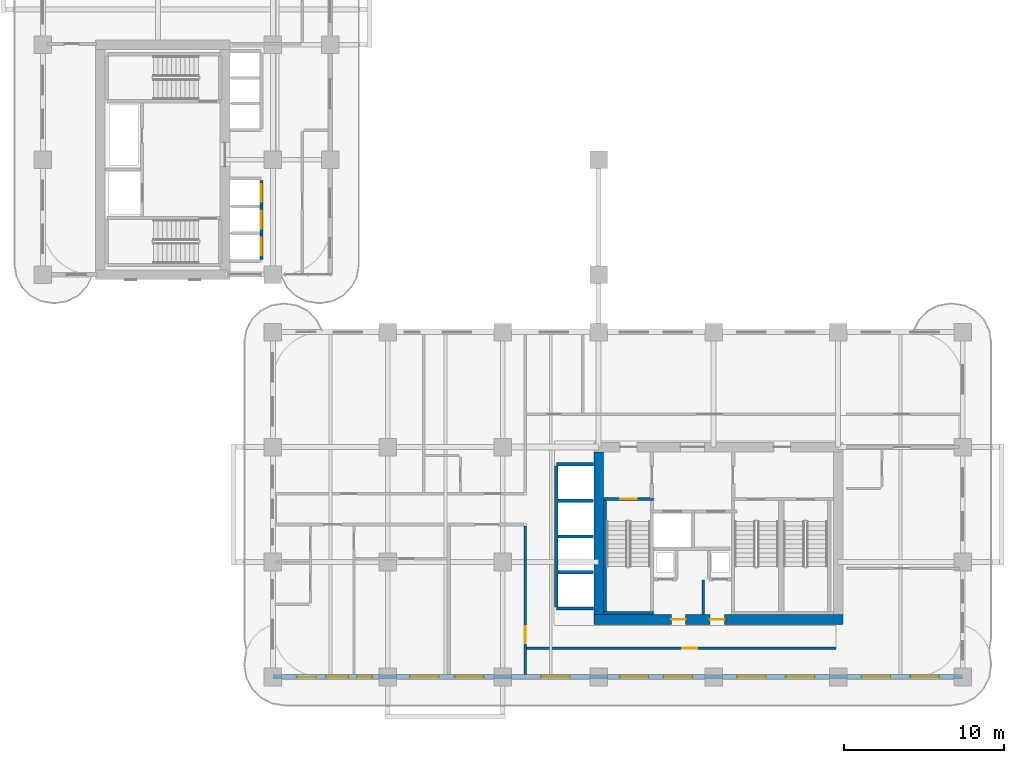
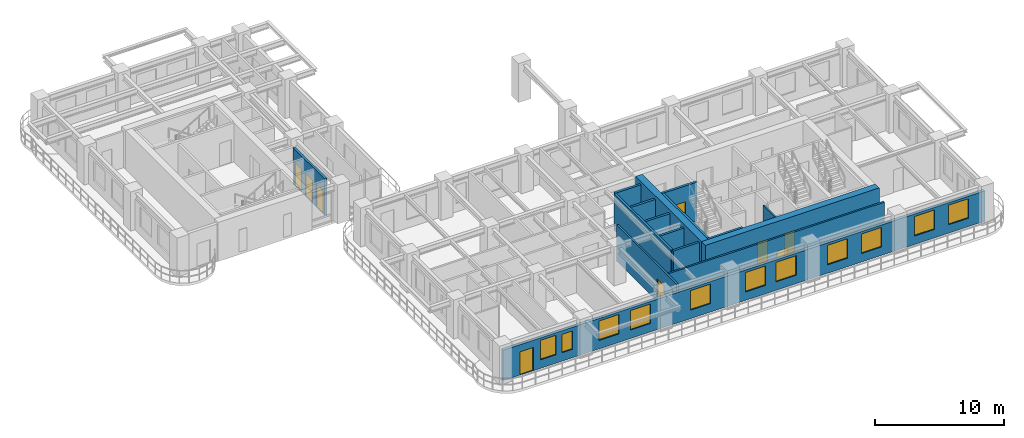
# One storey, part 7 of 18: 16 walls, 11 windows, 9 doors, 20 openings.
"""IFC4 building model written with IfcOpenShell, lengths in metres."""

from ifc_helpers import new_model, si_unit, derived_unit, direction, frame, frame_2d, origin, place, context, subcontext, project, spatial, rectangle, extrude, source, transform, mapped, material, layer, layer_set, type_object, type_shapes, element, fill, save


model = new_model("IFC4")

# Units and contexts
model_context = context("Model", 3, precision=1e-05, world=origin(), true_north=direction((0.0, 1.0)))
body_context = subcontext(model_context, "Body", "Model", "MODEL_VIEW")
ifc_project = project(units=[si_unit("LENGTHUNIT", "METRE"), si_unit("AREAUNIT", "SQUARE_METRE"), si_unit("VOLUMEUNIT", "CUBIC_METRE"), si_unit("PLANEANGLEUNIT", "RADIAN"), si_unit("MASSUNIT", "GRAM", prefix="KILO"), si_unit("THERMODYNAMICTEMPERATUREUNIT", "KELVIN"), si_unit("POWERUNIT", "WATT"), derived_unit("THERMALTRANSMITTANCEUNIT", [(si_unit("POWERUNIT", "WATT"), 1), (si_unit("AREAUNIT", "SQUARE_METRE"), -1), (si_unit("THERMODYNAMICTEMPERATUREUNIT", "KELVIN"), -1)])], contexts=[model_context])

# Site, building, storey
site_placement = place(None, origin())
site = spatial("IfcSite", under=ifc_project, at=site_placement, CompositionType="ELEMENT")
building_placement = place(site_placement, origin())
building = spatial("IfcBuilding", under=site, at=building_placement, Name="Zahravan Archway Hotel and Residences", CompositionType="ELEMENT")
storey_placement = place(building_placement, frame((0.0, 0.0, 58.300048828125)))
storey = spatial("IfcBuildingStorey", under=building, at=storey_placement, Name="L13", CompositionType="ELEMENT", Elevation=58.300048828125)

# Wall, openings, doors
ifc_material_1 = material(Name="Concrete C70/85", Category="concrete")
ifc_layer_1 = layer(ifc_material_1, 0.60009765625, Name="Concrete C70/85", Category="concrete")
ifc_layer_set_1 = layer_set([ifc_layer_1], Name="Concrete C70/85")
wall_type_1 = type_object("IfcWallType", Name="CW-CORE-600", PredefinedType="SHEAR", material=ifc_layer_set_1)
wall_1_placement = place(storey_placement, frame((34.5, 3.60009765625, 0.0), z_axis=(0.0, 0.0, 1.0), x_axis=(1.0, 0.0, 0.0)))
wall_1 = element("IfcWall", 1, at=wall_1_placement, inside=storey, type_object=wall_type_1, Name="L13 Core A Shear S Wall 600 mm", PredefinedType="SHEAR", context=body_context, shape_type="SweptSolid", body=[
    extrude(rectangle(XDim=15.60009765625, YDim=0.60009765625, at=frame_2d((7.800048828125, 0.0))), origin(), (0.0, 0.0, 1.0), 3.699951171875),
])
opening_1_placement = place(wall_1_placement, frame((4.85009765625, 0.0, 0.0)))
opening_1 = element("IfcOpeningElement", 2, at=opening_1_placement, cuts=wall_1, Name="Opening FD-R1", PredefinedType="OPENING", context=body_context, shape_type="SweptSolid", body=[
    extrude(rectangle(XDim=0.89990234375, YDim=2.10009765625, at=frame_2d((0.449951171875, 1.050048828125))), frame((0.0, 0.31005859375, 0.0), z_axis=(0.0, -1.0, 0.0), x_axis=(1.0, 0.0, 0.0)), (0.0, 0.0, 1.0), 0.6201171875),
])
opening_2_placement = place(wall_1_placement, frame((7.27001953125, 0.0, 0.0)))
opening_2 = element("IfcOpeningElement", 3, at=opening_2_placement, cuts=wall_1, Name="Opening FD-R1", PredefinedType="OPENING", context=body_context, shape_type="SweptSolid", body=[
    extrude(rectangle(XDim=0.89990234375, YDim=2.10009765625, at=frame_2d((0.449951171875, 1.050048828125))), frame((0.0, 0.31005859375, 0.0), z_axis=(0.0, -1.0, 0.0), x_axis=(1.0, 0.0, 0.0)), (0.0, 0.0, 1.0), 0.6201171875),
])
ifc_material_2 = material(Name="Fire-Rated Painted Steel", Category="steel")
door_type_1 = type_object("IfcDoorType", Name="FD-RISER-900", OperationType="NOTDEFINED", PredefinedType="DOOR", material=ifc_material_2)
shared_shape_1 = source(origin(), body_context, "Body", "SweptSolid", [
    extrude(rectangle(XDim=0.89990234375, YDim=2.10009765625, at=frame_2d((0.449951171875, 1.050048828125))), frame((0.0, 0.02490234375, 0.0), z_axis=(0.0, -1.0, 0.0), x_axis=(1.0, 0.0, 0.0)), (0.0, 0.0, 1.0), 0.050048828125),
])
type_shapes(door_type_1, [shared_shape_1])
door_1_placement = place(opening_1_placement, origin())
door_1 = element("IfcDoor", 4, at=door_1_placement, inside=storey, type_object=door_type_1, Name="L13 Service Pantry Door", OperationType="SINGLE_SWING_LEFT", OverallHeight=2.10009765625, OverallWidth=0.89990234375, PredefinedType="DOOR", context=body_context, shape_type="MappedRepresentation", body=[
    mapped(shared_shape_1, transform((0.0, 0.0, 0.0), scale=1.0)),
])
fill(opening_1, door_1)
door_2_placement = place(opening_2_placement, origin())
door_2 = element("IfcDoor", 5, at=door_2_placement, inside=storey, type_object=door_type_1, Name="L13 Fibre ELV Riser Door", OperationType="SINGLE_SWING_RIGHT", OverallHeight=2.10009765625, OverallWidth=0.89990234375, PredefinedType="DOOR", context=body_context, shape_type="MappedRepresentation", body=[
    mapped(shared_shape_1, transform((0.0, 0.0, 0.0), scale=1.0)),
])
fill(opening_2, door_2)

# Wall
wall_2_placement = place(storey_placement, frame((34.800048828125, 3.89990234375, 0.0), z_axis=(0.0, 0.0, 1.0), x_axis=(0.0, 1.0, 0.0)))
element("IfcWall", 6, at=wall_2_placement, inside=storey, type_object=wall_type_1, Name="L13 Core A Shear W Wall 600 mm", PredefinedType="SHEAR", context=body_context, shape_type="SweptSolid", body=[
    extrude(rectangle(XDim=10.2001953125, YDim=0.60009765625, at=frame_2d((5.10009765625, 0.0))), origin(), (0.0, 0.0, 1.0), 3.699951171875),
])

# Wall, openings, door, windows
ifc_material_3 = material(Name="Honed Red-Ochre Sandstone & Insulated Block", Category="masonry")
ifc_layer_2 = layer(ifc_material_3, 0.280029296875, Name="Honed Red-Ochre Sandstone & Insulated Block", Category="masonry")
ifc_layer_set_2 = layer_set([ifc_layer_2], Name="Honed Red-Ochre Sandstone & Insulated Block")
wall_type_2 = type_object("IfcWallType", Name="EW-LOG-280", PredefinedType="SOLIDWALL", material=ifc_layer_set_2)
wall_3_placement = place(storey_placement, frame((14.39990234375, 0.0, 0.0), z_axis=(0.0, 0.0, 1.0), x_axis=(1.0, 0.0, 0.0)))
wall_3 = element("IfcWall", 7, at=wall_3_placement, inside=storey, type_object=wall_type_2, Name="L13 Exterior Sandstone Wall WA-S", PredefinedType="SOLIDWALL", context=body_context, shape_type="SweptSolid", body=[
    extrude(rectangle(XDim=43.2001953125, YDim=0.280029296875, at=frame_2d((21.60009765625, 0.0))), origin(), (0.0, 0.0, 1.0), 2.885009765625),
])
opening_3_placement = place(wall_3_placement, frame((1.5, 0.0, 0.0)))
opening_3 = element("IfcOpeningElement", 8, at=opening_3_placement, cuts=wall_3, Name="Opening ED-BL1", PredefinedType="OPENING", context=body_context, shape_type="SweptSolid", body=[
    extrude(rectangle(XDim=1.199951171875, YDim=2.199951171875, at=frame_2d((0.60009765625, 1.10009765625))), frame((0.0, 0.14990234375, 0.0), z_axis=(0.0, -1.0, 0.0), x_axis=(1.0, 0.0, 0.0)), (0.0, 0.0, 1.0), 0.300048828125),
])
opening_4_placement = place(wall_3_placement, frame((3.3359375, 0.0, 0.800048828125)))
opening_4 = element("IfcOpeningElement", 9, at=opening_4_placement, cuts=wall_3, Name="Opening W-03", PredefinedType="OPENING", context=body_context, shape_type="SweptSolid", body=[
    extrude(rectangle(XDim=1.39990234375, YDim=1.85009765625, at=frame_2d((0.699951171875, 0.925048828125))), frame((0.0, 0.14990234375, 0.0), z_axis=(0.0, -1.0, 0.0), x_axis=(1.0, 0.0, 0.0)), (0.0, 0.0, 1.0), 0.300048828125),
])
opening_5_placement = place(wall_3_placement, frame((5.26904296875, 0.0, 0.800048828125)))
opening_5 = element("IfcOpeningElement", 10, at=opening_5_placement, cuts=wall_3, Name="Opening W-04", PredefinedType="OPENING", context=body_context, shape_type="SweptSolid", body=[
    extrude(rectangle(XDim=0.949951171875, YDim=1.75, at=frame_2d((0.47509765625, 0.875))), frame((0.0, 0.14990234375, 0.0), z_axis=(0.0, -1.0, 0.0), x_axis=(1.0, 0.0, 0.0)), (0.0, 0.0, 1.0), 0.300048828125),
])
opening_6_placement = place(wall_3_placement, frame((8.595947265625, 0.0, 0.800048828125)))
opening_6 = element("IfcOpeningElement", 11, at=opening_6_placement, cuts=wall_3, Name="Opening W-02", PredefinedType="OPENING", context=body_context, shape_type="SweptSolid", body=[
    extrude(rectangle(XDim=1.800048828125, YDim=1.85009765625, at=frame_2d((0.89990234375, 0.925048828125))), frame((0.0, 0.14990234375, 0.0), z_axis=(0.0, -1.0, 0.0), x_axis=(1.0, 0.0, 0.0)), (0.0, 0.0, 1.0), 0.300048828125),
])
opening_7_placement = place(wall_3_placement, frame((11.404052734375, 0.0, 0.800048828125)))
opening_7 = element("IfcOpeningElement", 12, at=opening_7_placement, cuts=wall_3, Name="Opening W-02", PredefinedType="OPENING", context=body_context, shape_type="SweptSolid", body=[
    extrude(rectangle(XDim=1.800048828125, YDim=1.85009765625, at=frame_2d((0.89990234375, 0.925048828125))), frame((0.0, 0.14990234375, 0.0), z_axis=(0.0, -1.0, 0.0), x_axis=(1.0, 0.0, 0.0)), (0.0, 0.0, 1.0), 0.300048828125),
])
opening_8_placement = place(wall_3_placement, frame((16.803955078125, 0.0, 0.800048828125)))
opening_8 = element("IfcOpeningElement", 13, at=opening_8_placement, cuts=wall_3, Name="Opening W-02", PredefinedType="OPENING", context=body_context, shape_type="SweptSolid", body=[
    extrude(rectangle(XDim=1.800048828125, YDim=1.85009765625, at=frame_2d((0.89990234375, 0.925048828125))), frame((0.0, 0.14990234375, 0.0), z_axis=(0.0, -1.0, 0.0), x_axis=(1.0, 0.0, 0.0)), (0.0, 0.0, 1.0), 0.300048828125),
])
opening_9_placement = place(wall_3_placement, frame((21.72509765625, 0.0, 0.800048828125)))
opening_9 = element("IfcOpeningElement", 14, at=opening_9_placement, cuts=wall_3, Name="Opening W-02", PredefinedType="OPENING", context=body_context, shape_type="SweptSolid", body=[
    extrude(rectangle(XDim=1.800048828125, YDim=1.85009765625, at=frame_2d((0.89990234375, 0.925048828125))), frame((0.0, 0.14990234375, 0.0), z_axis=(0.0, -1.0, 0.0), x_axis=(1.0, 0.0, 0.0)), (0.0, 0.0, 1.0), 0.300048828125),
])
opening_10_placement = place(wall_3_placement, frame((24.47509765625, 0.0, 0.800048828125)))
opening_10 = element("IfcOpeningElement", 15, at=opening_10_placement, cuts=wall_3, Name="Opening W-02", PredefinedType="OPENING", context=body_context, shape_type="SweptSolid", body=[
    extrude(rectangle(XDim=1.800048828125, YDim=1.85009765625, at=frame_2d((0.89990234375, 0.925048828125))), frame((0.0, 0.14990234375, 0.0), z_axis=(0.0, -1.0, 0.0), x_axis=(1.0, 0.0, 0.0)), (0.0, 0.0, 1.0), 0.300048828125),
])
opening_11_placement = place(wall_3_placement, frame((29.074951171875, 0.0, 0.800048828125)))
opening_11 = element("IfcOpeningElement", 16, at=opening_11_placement, cuts=wall_3, Name="Opening W-02", PredefinedType="OPENING", context=body_context, shape_type="SweptSolid", body=[
    extrude(rectangle(XDim=1.800048828125, YDim=1.85009765625, at=frame_2d((0.89990234375, 0.925048828125))), frame((0.0, 0.14990234375, 0.0), z_axis=(0.0, -1.0, 0.0), x_axis=(1.0, 0.0, 0.0)), (0.0, 0.0, 1.0), 0.300048828125),
])
opening_12_placement = place(wall_3_placement, frame((32.125, 0.0, 0.800048828125)))
opening_12 = element("IfcOpeningElement", 17, at=opening_12_placement, cuts=wall_3, Name="Opening W-02", PredefinedType="OPENING", context=body_context, shape_type="SweptSolid", body=[
    extrude(rectangle(XDim=1.800048828125, YDim=1.85009765625, at=frame_2d((0.89990234375, 0.925048828125))), frame((0.0, 0.14990234375, 0.0), z_axis=(0.0, -1.0, 0.0), x_axis=(1.0, 0.0, 0.0)), (0.0, 0.0, 1.0), 0.300048828125),
])
opening_13_placement = place(wall_3_placement, frame((36.875, 0.0, 0.800048828125)))
opening_13 = element("IfcOpeningElement", 18, at=opening_13_placement, cuts=wall_3, Name="Opening W-02", PredefinedType="OPENING", context=body_context, shape_type="SweptSolid", body=[
    extrude(rectangle(XDim=1.800048828125, YDim=1.85009765625, at=frame_2d((0.89990234375, 0.925048828125))), frame((0.0, 0.14990234375, 0.0), z_axis=(0.0, -1.0, 0.0), x_axis=(1.0, 0.0, 0.0)), (0.0, 0.0, 1.0), 0.300048828125),
])
opening_14_placement = place(wall_3_placement, frame((39.925048828125, 0.0, 0.800048828125)))
opening_14 = element("IfcOpeningElement", 19, at=opening_14_placement, cuts=wall_3, Name="Opening W-02", PredefinedType="OPENING", context=body_context, shape_type="SweptSolid", body=[
    extrude(rectangle(XDim=1.800048828125, YDim=1.85009765625, at=frame_2d((0.89990234375, 0.925048828125))), frame((0.0, 0.14990234375, 0.0), z_axis=(0.0, -1.0, 0.0), x_axis=(1.0, 0.0, 0.0)), (0.0, 0.0, 1.0), 0.300048828125),
])
ifc_material_4 = material(Name="Bronze-Anodized Glazed Aluminium", Category="aluminium")
door_type_2 = type_object("IfcDoorType", Name="ED-BALC-1200", OperationType="SLIDING_TO_LEFT", PredefinedType="DOOR", material=ifc_material_4)
shared_shape_2 = source(origin(), body_context, "Body", "SweptSolid", [
    extrude(rectangle(XDim=1.199951171875, YDim=2.199951171875, at=frame_2d((0.60009765625, 1.10009765625))), frame((0.0, 0.02490234375, 0.0), z_axis=(0.0, -1.0, 0.0), x_axis=(1.0, 0.0, 0.0)), (0.0, 0.0, 1.0), 0.050048828125),
])
type_shapes(door_type_2, [shared_shape_2])
door_3_placement = place(opening_3_placement, origin())
door_3 = element("IfcDoor", 20, at=door_3_placement, inside=storey, type_object=door_type_2, Name="L13 Outdoor Access Sliding Door (SLB-BAL-L13-SA)", OperationType="SLIDING_TO_LEFT", OverallHeight=2.199951171875, OverallWidth=1.199951171875, PredefinedType="DOOR", context=body_context, shape_type="MappedRepresentation", body=[
    mapped(shared_shape_2, transform((0.0, 0.0, 0.0), scale=1.0)),
])
fill(opening_3, door_3)
ifc_material_5 = material(Name="Bronze-Anodized Thermal-Break Aluminium & Low-E Glass", Category="aluminium")
window_type_1 = type_object("IfcWindowType", Name="WIN-TWR-1400", PartitioningType="SINGLE_PANEL", PredefinedType="WINDOW", material=ifc_material_5)
shared_shape_3 = source(origin(), body_context, "Body", "SweptSolid", [
    extrude(rectangle(XDim=1.39990234375, YDim=1.85009765625, at=frame_2d((0.699951171875, 0.925048828125))), frame((0.0, 0.030029296875, 0.0), z_axis=(0.0, -1.0, 0.0), x_axis=(1.0, 0.0, 0.0)), (0.0, 0.0, 1.0), 0.06005859375),
])
type_shapes(window_type_1, [shared_shape_3])
window_1_placement = place(opening_4_placement, origin())
window_1 = element("IfcWindow", 21, at=window_1_placement, inside=storey, type_object=window_type_1, Name="L13 Loggia Window 01", OverallHeight=1.85009765625, OverallWidth=1.39990234375, PartitioningType="SINGLE_PANEL", PredefinedType="WINDOW", context=body_context, shape_type="MappedRepresentation", body=[
    mapped(shared_shape_3, transform((0.0, 0.0, 0.0), scale=1.0)),
])
fill(opening_4, window_1)
window_type_2 = type_object("IfcWindowType", Name="WIN-NAR-950", PartitioningType="SINGLE_PANEL", PredefinedType="WINDOW", material=ifc_material_5)
shared_shape_4 = source(origin(), body_context, "Body", "SweptSolid", [
    extrude(rectangle(XDim=0.949951171875, YDim=1.75, at=frame_2d((0.47509765625, 0.875))), frame((0.0, 0.030029296875, 0.0), z_axis=(0.0, -1.0, 0.0), x_axis=(1.0, 0.0, 0.0)), (0.0, 0.0, 1.0), 0.06005859375),
])
type_shapes(window_type_2, [shared_shape_4])
window_2_placement = place(opening_5_placement, origin())
window_2 = element("IfcWindow", 22, at=window_2_placement, inside=storey, type_object=window_type_2, Name="L13 Loggia Window 02", OverallHeight=1.75, OverallWidth=0.949951171875, PartitioningType="SINGLE_PANEL", PredefinedType="WINDOW", context=body_context, shape_type="MappedRepresentation", body=[
    mapped(shared_shape_4, transform((0.0, 0.0, 0.0), scale=1.0)),
])
fill(opening_5, window_2)
window_type_3 = type_object("IfcWindowType", Name="WIN-TWR-1800", PartitioningType="DOUBLE_PANEL_VERTICAL", PredefinedType="WINDOW", material=ifc_material_5)
shared_shape_5 = source(origin(), body_context, "Body", "SweptSolid", [
    extrude(rectangle(XDim=1.800048828125, YDim=1.85009765625, at=frame_2d((0.89990234375, 0.925048828125))), frame((0.0, 0.030029296875, 0.0), z_axis=(0.0, -1.0, 0.0), x_axis=(1.0, 0.0, 0.0)), (0.0, 0.0, 1.0), 0.06005859375),
])
type_shapes(window_type_3, [shared_shape_5])
window_3_placement = place(opening_6_placement, origin())
window_3 = element("IfcWindow", 23, at=window_3_placement, inside=storey, type_object=window_type_3, Name="L13 Loggia Window 03", OverallHeight=1.85009765625, OverallWidth=1.800048828125, PartitioningType="DOUBLE_PANEL_VERTICAL", PredefinedType="WINDOW", context=body_context, shape_type="MappedRepresentation", body=[
    mapped(shared_shape_5, transform((0.0, 0.0, 0.0), scale=1.0)),
])
fill(opening_6, window_3)
window_4_placement = place(opening_7_placement, origin())
window_4 = element("IfcWindow", 24, at=window_4_placement, inside=storey, type_object=window_type_3, Name="L13 Loggia Window 04", OverallHeight=1.85009765625, OverallWidth=1.800048828125, PartitioningType="DOUBLE_PANEL_VERTICAL", PredefinedType="WINDOW", context=body_context, shape_type="MappedRepresentation", body=[
    mapped(shared_shape_5, transform((0.0, 0.0, 0.0), scale=1.0)),
])
fill(opening_7, window_4)
window_5_placement = place(opening_8_placement, origin())
window_5 = element("IfcWindow", 25, at=window_5_placement, inside=storey, type_object=window_type_3, Name="L13 Loggia Window 05", OverallHeight=1.85009765625, OverallWidth=1.800048828125, PartitioningType="DOUBLE_PANEL_VERTICAL", PredefinedType="WINDOW", context=body_context, shape_type="MappedRepresentation", body=[
    mapped(shared_shape_5, transform((0.0, 0.0, 0.0), scale=1.0)),
])
fill(opening_8, window_5)
window_6_placement = place(opening_9_placement, origin())
window_6 = element("IfcWindow", 26, at=window_6_placement, inside=storey, type_object=window_type_3, Name="L13 Loggia Window 06", OverallHeight=1.85009765625, OverallWidth=1.800048828125, PartitioningType="DOUBLE_PANEL_VERTICAL", PredefinedType="WINDOW", context=body_context, shape_type="MappedRepresentation", body=[
    mapped(shared_shape_5, transform((0.0, 0.0, 0.0), scale=1.0)),
])
fill(opening_9, window_6)
window_7_placement = place(opening_10_placement, origin())
window_7 = element("IfcWindow", 27, at=window_7_placement, inside=storey, type_object=window_type_3, Name="L13 Loggia Window 07", OverallHeight=1.85009765625, OverallWidth=1.800048828125, PartitioningType="DOUBLE_PANEL_VERTICAL", PredefinedType="WINDOW", context=body_context, shape_type="MappedRepresentation", body=[
    mapped(shared_shape_5, transform((0.0, 0.0, 0.0), scale=1.0)),
])
fill(opening_10, window_7)
window_8_placement = place(opening_11_placement, origin())
window_8 = element("IfcWindow", 28, at=window_8_placement, inside=storey, type_object=window_type_3, Name="L13 Loggia Window 08", OverallHeight=1.85009765625, OverallWidth=1.800048828125, PartitioningType="DOUBLE_PANEL_VERTICAL", PredefinedType="WINDOW", context=body_context, shape_type="MappedRepresentation", body=[
    mapped(shared_shape_5, transform((0.0, 0.0, 0.0), scale=1.0)),
])
fill(opening_11, window_8)
window_9_placement = place(opening_12_placement, origin())
window_9 = element("IfcWindow", 29, at=window_9_placement, inside=storey, type_object=window_type_3, Name="L13 Loggia Window 09", OverallHeight=1.85009765625, OverallWidth=1.800048828125, PartitioningType="DOUBLE_PANEL_VERTICAL", PredefinedType="WINDOW", context=body_context, shape_type="MappedRepresentation", body=[
    mapped(shared_shape_5, transform((0.0, 0.0, 0.0), scale=1.0)),
])
fill(opening_12, window_9)
window_10_placement = place(opening_13_placement, origin())
window_10 = element("IfcWindow", 30, at=window_10_placement, inside=storey, type_object=window_type_3, Name="L13 Loggia Window 10", OverallHeight=1.85009765625, OverallWidth=1.800048828125, PartitioningType="DOUBLE_PANEL_VERTICAL", PredefinedType="WINDOW", context=body_context, shape_type="MappedRepresentation", body=[
    mapped(shared_shape_5, transform((0.0, 0.0, 0.0), scale=1.0)),
])
fill(opening_13, window_10)
window_11_placement = place(opening_14_placement, origin())
window_11 = element("IfcWindow", 31, at=window_11_placement, inside=storey, type_object=window_type_3, Name="L13 Loggia Window 11", OverallHeight=1.85009765625, OverallWidth=1.800048828125, PartitioningType="DOUBLE_PANEL_VERTICAL", PredefinedType="WINDOW", context=body_context, shape_type="MappedRepresentation", body=[
    mapped(shared_shape_5, transform((0.0, 0.0, 0.0), scale=1.0)),
])
fill(opening_14, window_11)

# Wall, opening, door
ifc_material_6 = material(Name="Fire-Rated Gypsum & Concrete Block", Category="concrete")
ifc_layer_3 = layer(ifc_material_6, 0.159912109375, Name="Fire-Rated Gypsum & Concrete Block", Category="concrete")
ifc_layer_set_3 = layer_set([ifc_layer_3], Name="Fire-Rated Gypsum & Concrete Block")
wall_type_3 = type_object("IfcWallType", Name="PW-CORR-160", PredefinedType="PARTITIONING", material=ifc_layer_set_3)
wall_4_placement = place(storey_placement, frame((30.199951171875, 0.14794921875, 0.0), z_axis=(0.0, 0.0, 1.0), x_axis=(0.0, 1.0, 0.0)))
wall_4 = element("IfcWall", 32, at=wall_4_placement, inside=storey, type_object=wall_type_3, Name="L13 Partition WA-SRW", PredefinedType="PARTITIONING", context=body_context, shape_type="SweptSolid", body=[
    extrude(rectangle(XDim=9.31201171875, YDim=0.159912109375, at=frame_2d((4.656005859375, 0.0))), origin(), (0.0, 0.0, 1.0), 3.449951171875),
])
opening_15_placement = place(wall_4_placement, frame((1.97705078125, 0.0, 0.0)))
opening_15 = element("IfcOpeningElement", 33, at=opening_15_placement, cuts=wall_4, Name="Opening FD-L2", PredefinedType="OPENING", context=body_context, shape_type="SweptSolid", body=[
    extrude(rectangle(XDim=1.050048828125, YDim=2.14990234375, at=frame_2d((0.52490234375, 1.074951171875))), frame((0.0, 0.08984375, 0.0), z_axis=(0.0, -1.0, 0.0), x_axis=(1.0, 0.0, 0.0)), (0.0, 0.0, 1.0), 0.179931640625),
])
door_type_3 = type_object("IfcDoorType", Name="FD-LOBBY-1100", OperationType="NOTDEFINED", PredefinedType="DOOR", material=ifc_material_2)
shared_shape_6 = source(origin(), body_context, "Body", "SweptSolid", [
    extrude(rectangle(XDim=1.050048828125, YDim=2.14990234375, at=frame_2d((0.52490234375, 1.074951171875))), frame((0.0, 0.02490234375, 0.0), z_axis=(0.0, -1.0, 0.0), x_axis=(1.0, 0.0, 0.0)), (0.0, 0.0, 1.0), 0.050048828125),
])
type_shapes(door_type_3, [shared_shape_6])
door_4_placement = place(opening_15_placement, origin())
door_4 = element("IfcDoor", 34, at=door_4_placement, inside=storey, type_object=door_type_3, Name="L13 South Riser Corridor Door", OperationType="SINGLE_SWING_RIGHT", OverallHeight=2.14990234375, OverallWidth=1.050048828125, PredefinedType="DOOR", context=body_context, shape_type="MappedRepresentation", body=[
    mapped(shared_shape_6, transform((0.0, 0.0, 0.0), scale=1.0)),
])
fill(opening_15, door_4)

wall_5_placement = place(storey_placement, frame((30.2900390625, 1.800048828125, 0.0), z_axis=(0.0, 0.0, 1.0), x_axis=(1.0, 0.0, 0.0)))
wall_5 = element("IfcWall", 35, at=wall_5_placement, inside=storey, type_object=wall_type_3, Name="L13 Partition WA-SRS", PredefinedType="PARTITIONING", context=body_context, shape_type="SweptSolid", body=[
    extrude(rectangle(XDim=19.369873046875, YDim=0.159912109375, at=frame_2d((9.68505859375, 0.0))), origin(), (0.0, 0.0, 1.0), 3.449951171875),
])
opening_16_placement = place(wall_5_placement, frame((9.735107421875, 0.0, 0.0)))
opening_16 = element("IfcOpeningElement", 36, at=opening_16_placement, cuts=wall_5, Name="Opening D-I1", PredefinedType="OPENING", context=body_context, shape_type="SweptSolid", body=[
    extrude(rectangle(XDim=0.949951171875, YDim=2.14990234375, at=frame_2d((0.47509765625, 1.074951171875))), frame((0.0, 0.08984375, 0.0), z_axis=(0.0, -1.0, 0.0), x_axis=(1.0, 0.0, 0.0)), (0.0, 0.0, 1.0), 0.179931640625),
])
ifc_material_7 = material(Name="Hardwood Veneer Timber", Category="wood")
door_type_4 = type_object("IfcDoorType", Name="ID-INT-950", OperationType="NOTDEFINED", PredefinedType="DOOR", material=ifc_material_7)
shared_shape_7 = source(origin(), body_context, "Body", "SweptSolid", [
    extrude(rectangle(XDim=0.949951171875, YDim=2.14990234375, at=frame_2d((0.47509765625, 1.074951171875))), frame((0.0, 0.02490234375, 0.0), z_axis=(0.0, -1.0, 0.0), x_axis=(1.0, 0.0, 0.0)), (0.0, 0.0, 1.0), 0.050048828125),
])
type_shapes(door_type_4, [shared_shape_7])
door_5_placement = place(opening_16_placement, origin())
door_5 = element("IfcDoor", 37, at=door_5_placement, inside=storey, type_object=door_type_4, Name="L13 South Viewing Lounge Door", OperationType="SINGLE_SWING_LEFT", OverallHeight=2.14990234375, OverallWidth=0.949951171875, PredefinedType="DOOR", context=body_context, shape_type="MappedRepresentation", body=[
    mapped(shared_shape_7, transform((0.0, 0.0, 0.0), scale=1.0)),
])
fill(opening_16, door_5)

# Walls
ifc_layer_4 = layer(ifc_material_6, 0.199951171875, Name="Fire-Rated Gypsum & Concrete Block", Category="concrete")
ifc_layer_set_4 = layer_set([ifc_layer_4], Name="Fire-Rated Gypsum & Concrete Block")
wall_type_4 = type_object("IfcWallType", Name="PW-SHAFT-200", PredefinedType="PARTITIONING", material=ifc_layer_set_4)
for number, where, z_axis, x_axis, name in (
    (38, (32.159912109375, 4.280029296875, 0.0), (0.0, 0.0, 1.0), (1.0, 0.0, 0.0), "L13 Partition B3-S"),
    (39, (32.159912109375, 13.320068359375, 0.0), (0.0, 0.0, 1.0), (1.0, 0.0, 0.0), "L13 Partition B3-N"),
):
    element("IfcWall", number, at=place(storey_placement, frame(where, z_axis=z_axis, x_axis=x_axis)), inside=storey, type_object=wall_type_4, Name=name, PredefinedType="PARTITIONING", context=body_context, shape_type="SweptSolid", body=[
        extrude(rectangle(XDim=2.31005859375, YDim=0.199951171875, at=frame_2d((1.155029296875, 0.0))), origin(), (0.0, 0.0, 1.0), 3.449951171875),
    ])
wall_6_placement = place(storey_placement, frame((32.14990234375, 4.389892578125, 0.0), z_axis=(0.0, 0.0, 1.0), x_axis=(0.0, 1.0, 0.0)))
element("IfcWall", 40, at=wall_6_placement, inside=storey, type_object=wall_type_4, Name="L13 Partition B3-W", PredefinedType="PARTITIONING", context=body_context, shape_type="SweptSolid", body=[
    extrude(rectangle(XDim=8.820068359375, YDim=0.199951171875, at=frame_2d((4.41015625, 0.0))), origin(), (0.0, 0.0, 1.0), 3.449951171875),
])
for number, where, z_axis, x_axis, name in (
    (41, (32.260009765625, 6.56005859375, 0.0), (0.0, 0.0, 1.0), (1.0, 0.0, 0.0), "L13 Partition B3-D"),
    (42, (32.260009765625, 8.800048828125, 0.0), (0.0, 0.0, 1.0), (1.0, 0.0, 0.0), "L13 Partition B3-D"),
    (43, (32.260009765625, 11.0400390625, 0.0), (0.0, 0.0, 1.0), (1.0, 0.0, 0.0), "L13 Partition B3-D"),
):
    element("IfcWall", number, at=place(storey_placement, frame(where, z_axis=z_axis, x_axis=x_axis)), inside=storey, type_object=wall_type_4, Name=name, PredefinedType="PARTITIONING", context=body_context, shape_type="SweptSolid", body=[
        extrude(rectangle(XDim=2.179931640625, YDim=0.199951171875, at=frame_2d((1.08984375, 0.0))), origin(), (0.0, 0.0, 1.0), 3.449951171875),
    ])

# Wall, openings, doors
wall_7_placement = place(storey_placement, frame((13.679931640625, 26.159912109375, 0.0), z_axis=(0.0, 0.0, 1.0), x_axis=(0.0, 1.0, 0.0)))
wall_7 = element("IfcWall", 44, at=wall_7_placement, inside=storey, type_object=wall_type_4, Name="L13 Partition B1-E", PredefinedType="PARTITIONING", context=body_context, shape_type="SweptSolid", body=[
    extrude(rectangle(XDim=4.940185546875, YDim=0.199951171875, at=frame_2d((2.47021484375, 0.0))), origin(), (0.0, 0.0, 1.0), 3.449951171875),
])
opening_17_placement = place(wall_7_placement, frame((0.239990234375, 0.0, 0.0)))
opening_17 = element("IfcOpeningElement", 45, at=opening_17_placement, cuts=wall_7, Name="Opening LD", PredefinedType="OPENING", context=body_context, shape_type="SweptSolid", body=[
    extrude(rectangle(XDim=1.10009765625, YDim=2.199951171875, at=frame_2d((0.550048828125, 1.10009765625))), frame((0.0, 0.10986328125, 0.0), z_axis=(0.0, -1.0, 0.0), x_axis=(1.0, 0.0, 0.0)), (0.0, 0.0, 1.0), 0.219970703125),
])
opening_18_placement = place(wall_7_placement, frame((1.919921875, 0.0, 0.0)))
opening_18 = element("IfcOpeningElement", 46, at=opening_18_placement, cuts=wall_7, Name="Opening LD", PredefinedType="OPENING", context=body_context, shape_type="SweptSolid", body=[
    extrude(rectangle(XDim=1.10009765625, YDim=2.199951171875, at=frame_2d((0.550048828125, 1.10009765625))), frame((0.0, 0.10986328125, 0.0), z_axis=(0.0, -1.0, 0.0), x_axis=(1.0, 0.0, 0.0)), (0.0, 0.0, 1.0), 0.219970703125),
])
opening_19_placement = place(wall_7_placement, frame((3.60009765625, 0.0, 0.0)))
opening_19 = element("IfcOpeningElement", 47, at=opening_19_placement, cuts=wall_7, Name="Opening LD", PredefinedType="OPENING", context=body_context, shape_type="SweptSolid", body=[
    extrude(rectangle(XDim=1.10009765625, YDim=2.199951171875, at=frame_2d((0.550048828125, 1.10009765625))), frame((0.0, 0.10986328125, 0.0), z_axis=(0.0, -1.0, 0.0), x_axis=(1.0, 0.0, 0.0)), (0.0, 0.0, 1.0), 0.219970703125),
])
ifc_material_8 = material(Name="Brushed Stainless Steel", Category="steel")
door_type_5 = type_object("IfcDoorType", Name="DR-LIFT-LD", OperationType="SLIDING_TO_LEFT", PredefinedType="DOOR", material=ifc_material_8)
shared_shape_8 = source(origin(), body_context, "Body", "SweptSolid", [
    extrude(rectangle(XDim=1.10009765625, YDim=2.199951171875, at=frame_2d((0.550048828125, 1.10009765625))), frame((0.0, 0.02490234375, 0.0), z_axis=(0.0, -1.0, 0.0), x_axis=(1.0, 0.0, 0.0)), (0.0, 0.0, 1.0), 0.050048828125),
])
type_shapes(door_type_5, [shared_shape_8])
door_6_placement = place(opening_17_placement, origin())
door_6 = element("IfcDoor", 48, at=door_6_placement, inside=storey, type_object=door_type_5, Name="L13 Lift LP-1 Sliding Landing Door", OperationType="SLIDING_TO_LEFT", OverallHeight=2.199951171875, OverallWidth=1.10009765625, PredefinedType="DOOR", context=body_context, shape_type="MappedRepresentation", body=[
    mapped(shared_shape_8, transform((0.0, 0.0, 0.0), scale=1.0)),
])
fill(opening_17, door_6)
door_7_placement = place(opening_18_placement, origin())
door_7 = element("IfcDoor", 49, at=door_7_placement, inside=storey, type_object=door_type_5, Name="L13 Lift LP-2 Sliding Landing Door", OperationType="SLIDING_TO_LEFT", OverallHeight=2.199951171875, OverallWidth=1.10009765625, PredefinedType="DOOR", context=body_context, shape_type="MappedRepresentation", body=[
    mapped(shared_shape_8, transform((0.0, 0.0, 0.0), scale=1.0)),
])
fill(opening_18, door_7)
door_8_placement = place(opening_19_placement, origin())
door_8 = element("IfcDoor", 50, at=door_8_placement, inside=storey, type_object=door_type_5, Name="L13 Lift LP-3 Sliding Landing Door", OperationType="SLIDING_TO_LEFT", OverallHeight=2.199951171875, OverallWidth=1.10009765625, PredefinedType="DOOR", context=body_context, shape_type="MappedRepresentation", body=[
    mapped(shared_shape_8, transform((0.0, 0.0, 0.0), scale=1.0)),
])
fill(opening_19, door_8)

# Walls
ifc_material_9 = material(Name="Moisture-Resistant Blockwork", Category="masonry")
ifc_layer_5 = layer(ifc_material_9, 0.139892578125, Name="Moisture-Resistant Blockwork", Category="masonry")
ifc_layer_set_5 = layer_set([ifc_layer_5], Name="Moisture-Resistant Blockwork")
wall_type_5 = type_object("IfcWallType", Name="PW-WET-140", PredefinedType="PARTITIONING", material=ifc_layer_set_5)
wall_8_placement = place(storey_placement, frame((41.35009765625, 3.919921875, 0.0), z_axis=(0.0, 0.0, 1.0), x_axis=(0.0, 1.0, 0.0)))
element("IfcWall", 51, at=wall_8_placement, inside=storey, type_object=wall_type_5, Name="L13 Partition CA-CV3", PredefinedType="PARTITIONING", context=body_context, shape_type="SweptSolid", body=[
    extrude(rectangle(XDim=2.16015625, YDim=0.139892578125, at=frame_2d((1.080078125, 0.0))), origin(), (0.0, 0.0, 1.0), 3.449951171875),
])
ifc_material_10 = material(Name="Concrete C50/60", Category="concrete")
ifc_layer_6 = layer(ifc_material_10, 0.199951171875, Name="Concrete C50/60", Category="concrete")
ifc_layer_set_6 = layer_set([ifc_layer_6], Name="Concrete C50/60")
wall_type_6 = type_object("IfcWallType", Name="SW-STAIR-200", PredefinedType="SHEAR", material=ifc_layer_set_6)
wall_9_placement = place(storey_placement, frame((35.10009765625, 4.0, 0.0), z_axis=(0.0, 0.0, 1.0), x_axis=(1.0, 0.0, 0.0)))
element("IfcWall", 52, at=wall_9_placement, inside=storey, type_object=wall_type_6, Name="L13 Stairwell RC Wall CA-SA1S", PredefinedType="SHEAR", context=body_context, shape_type="SweptSolid", body=[
    extrude(rectangle(XDim=3.139892578125, YDim=0.199951171875, at=frame_2d((1.56982421875, 0.0))), origin(), (0.0, 0.0, 1.0), 3.699951171875),
])
wall_10_placement = place(storey_placement, frame((35.199951171875, 4.10009765625, 0.0), z_axis=(0.0, 0.0, 1.0), x_axis=(0.0, 1.0, 0.0)))
element("IfcWall", 53, at=wall_10_placement, inside=storey, type_object=wall_type_6, Name="L13 Stairwell RC Wall CA-SA1W", PredefinedType="SHEAR", context=body_context, shape_type="SweptSolid", body=[
    extrude(rectangle(XDim=6.949951171875, YDim=0.199951171875, at=frame_2d((3.47509765625, 0.0))), origin(), (0.0, 0.0, 1.0), 3.699951171875),
])

# Wall, opening, door
wall_11_placement = place(storey_placement, frame((35.10009765625, 11.14990234375, 0.0), z_axis=(0.0, 0.0, 1.0), x_axis=(1.0, 0.0, 0.0)))
wall_11 = element("IfcWall", 54, at=wall_11_placement, inside=storey, type_object=wall_type_6, Name="L13 Stairwell RC Wall CA-SA1N", PredefinedType="SHEAR", context=body_context, shape_type="SweptSolid", body=[
    extrude(rectangle(XDim=3.139892578125, YDim=0.199951171875, at=frame_2d((1.56982421875, 0.0))), origin(), (0.0, 0.0, 1.0), 3.699951171875),
])
opening_20_placement = place(wall_11_placement, frame((1.044921875, 0.0, 0.0)))
opening_20 = element("IfcOpeningElement", 55, at=opening_20_placement, cuts=wall_11, Name="Opening FD-S1", PredefinedType="OPENING", context=body_context, shape_type="SweptSolid", body=[
    extrude(rectangle(XDim=1.050048828125, YDim=2.199951171875, at=frame_2d((0.52490234375, 1.10009765625))), frame((0.0, 0.10986328125, 0.0), z_axis=(0.0, -1.0, 0.0), x_axis=(1.0, 0.0, 0.0)), (0.0, 0.0, 1.0), 0.219970703125),
])
door_type_6 = type_object("IfcDoorType", Name="FD-STAIR-1100", OperationType="NOTDEFINED", PredefinedType="DOOR", material=ifc_material_2)
shared_shape_9 = source(origin(), body_context, "Body", "SweptSolid", [
    extrude(rectangle(XDim=1.050048828125, YDim=2.199951171875, at=frame_2d((0.52490234375, 1.10009765625))), frame((0.0, 0.02490234375, 0.0), z_axis=(0.0, -1.0, 0.0), x_axis=(1.0, 0.0, 0.0)), (0.0, 0.0, 1.0), 0.050048828125),
])
type_shapes(door_type_6, [shared_shape_9])
door_9_placement = place(opening_20_placement, origin())
door_9 = element("IfcDoor", 56, at=door_9_placement, inside=storey, type_object=door_type_6, Name="L13 Stair ST-A1 Door", OperationType="SINGLE_SWING_RIGHT", OverallHeight=2.199951171875, OverallWidth=1.050048828125, PredefinedType="DOOR", context=body_context, shape_type="MappedRepresentation", body=[
    mapped(shared_shape_9, transform((0.0, 0.0, 0.0), scale=1.0)),
])
fill(opening_20, door_9)

save(model, "model.ifc")
